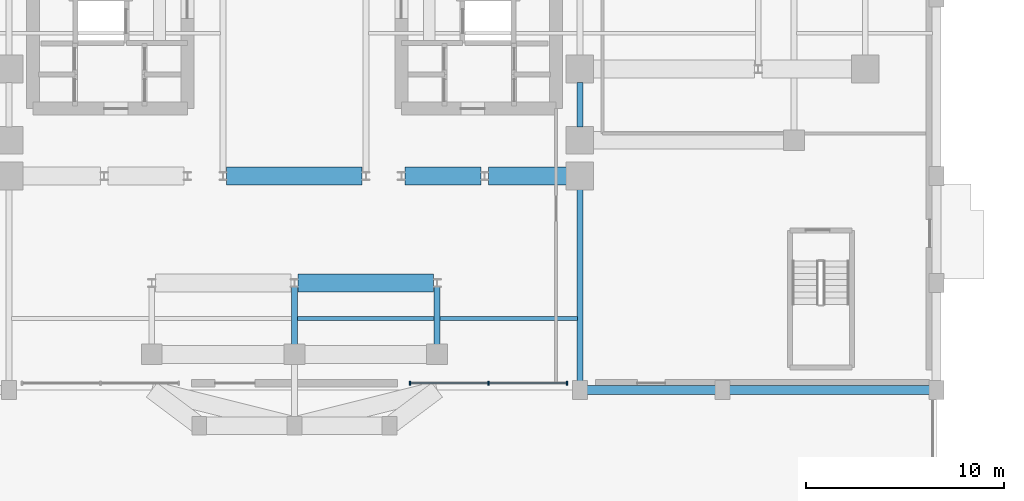
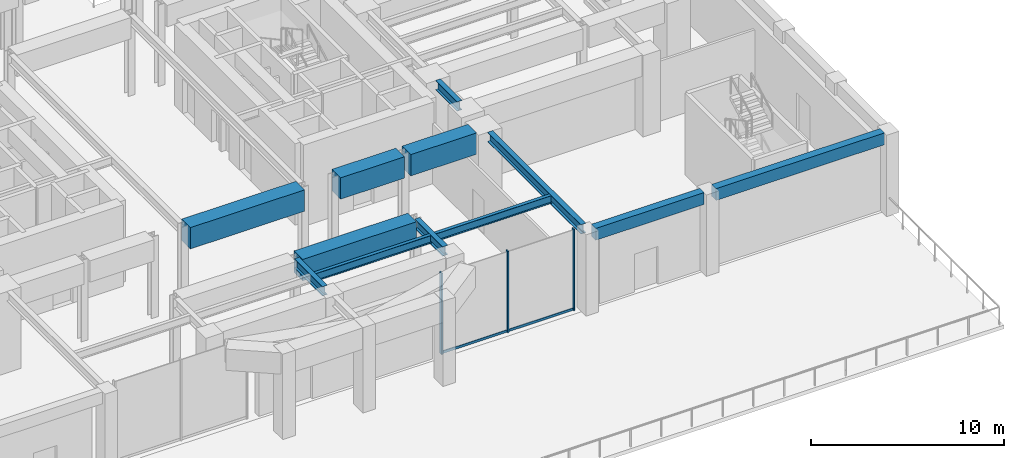
# One storey, part 6 of 17: 12 beams, 5 members, 1 element without a shape of its own.
"""IFC4 building model written with IfcOpenShell, lengths in metres."""

import ifcopenshell
import ifcopenshell.guid

model = None  # the IFC model being written
_history = None  # IfcOwnerHistory: only IFC2X3 demands one
_inside = {}  # id of a spatial element -> (the spatial element, [elements in it])
_under = {}  # id of a project, library or spatial element -> (it, [spatial elements below it])
_declared = {}  # id of a project -> (the project, [libraries it declares])
_typed = {}  # id of a type object -> (the type object, [elements of that type])
_made_of = {}  # id of a material, layer set ... -> (it, [elements and type objects made of it])


def new_model(schema):
    """Start an empty IFC model of exactly this schema.

    Asked for "IFC4X3", IfcOpenShell would pick the latest addendum, in which some entities
    have other attributes; the version numbers below select the first issue.
    IFC2X3 requires an IfcOwnerHistory on every rooted entity: one is made here for all.
    """
    global model, _history
    if schema == "IFC4X3":
        model = ifcopenshell.file(schema_version=(4, 3, 0, 0))
    else:
        model = ifcopenshell.file(schema=schema)
    _inside.clear()
    _under.clear()
    _declared.clear()
    _typed.clear()
    _made_of.clear()
    _history = None
    if model.schema == "IFC2X3":
        org = make("IfcOrganization", Name="unknown")
        user = make(
            "IfcPersonAndOrganization",
            ThePerson=make("IfcPerson", FamilyName="unknown"),
            TheOrganization=org,
        )
        app = make(
            "IfcApplication",
            ApplicationDeveloper=org,
            Version="unknown",
            ApplicationFullName="unknown",
            ApplicationIdentifier="unknown",
        )
        _history = make(
            "IfcOwnerHistory",
            OwningUser=user,
            OwningApplication=app,
            ChangeAction="ADDED",
            CreationDate=0,
        )
    return model


def make(cls, **values):
    """One entity of the class cls with the attributes given. An attribute that is None is left unset."""
    return model.create_entity(
        cls, **{name: value for name, value in values.items() if value is not None}
    )


def rooted(cls, **values):
    """An entity with a GlobalId (a new one), such as an element, a storey or a relation."""
    return make(cls, GlobalId=ifcopenshell.guid.new(), OwnerHistory=_history, **values)


def si_unit(unit_type, name, prefix=None):
    """IfcSIUnit, for example si_unit("LENGTHUNIT", "METRE", prefix="MILLI")."""
    return make("IfcSIUnit", UnitType=unit_type, Prefix=prefix, Name=name)


def assignment(units):
    """IfcUnitAssignment: the units of a project."""
    return None if units is None else make("IfcUnitAssignment", Units=units)


def point(xyz):
    """IfcCartesianPoint."""
    return None if xyz is None else make("IfcCartesianPoint", Coordinates=xyz)


def direction(xyz):
    """IfcDirection."""
    return None if xyz is None else make("IfcDirection", DirectionRatios=xyz)


def frame(location, z_axis=None, x_axis=None):
    """IfcAxis2Placement3D, a coordinate frame: its origin and axes. An axis left out is left unset."""
    return make(
        "IfcAxis2Placement3D",
        Location=point(location),
        Axis=direction(z_axis),
        RefDirection=direction(x_axis),
    )


def frame_2d(location, x_axis=None):
    """IfcAxis2Placement2D, a coordinate frame in the plane: its origin and x axis."""
    return make(
        "IfcAxis2Placement2D", Location=point(location), RefDirection=direction(x_axis)
    )


def origin():
    """The frame at (0, 0, 0) with its axes left unset."""
    return frame((0.0, 0.0, 0.0))


def origin_2d():
    """The frame at (0, 0) in the plane with its x axis left unset."""
    return frame_2d((0.0, 0.0))


def place(relative_to, where):
    """IfcLocalPlacement: puts the frame where relative to a parent placement (None: the world)."""
    return make(
        "IfcLocalPlacement", PlacementRelTo=relative_to, RelativePlacement=where
    )


def context(
    kind, dimensions, precision=None, world=None, true_north=None, identifier=None
):
    """IfcGeometricRepresentationContext, for example the 3D "Model" context."""
    return make(
        "IfcGeometricRepresentationContext",
        ContextIdentifier=identifier,
        ContextType=kind,
        CoordinateSpaceDimension=dimensions,
        Precision=precision,
        WorldCoordinateSystem=world,
        TrueNorth=true_north,
    )


def subcontext(parent, identifier, kind, view, scale=None):
    """IfcGeometricRepresentationSubContext, for example "Body" below "Model"."""
    return make(
        "IfcGeometricRepresentationSubContext",
        ContextIdentifier=identifier,
        ContextType=kind,
        ParentContext=parent,
        TargetScale=scale,
        TargetView=view,
    )


def project(units=None, contexts=None):
    """IfcProject with its units and contexts."""
    return rooted(
        "IfcProject",
        Name="project",
        RepresentationContexts=contexts,
        UnitsInContext=assignment(units),
    )


def spatial(cls, under=None, at=None, **own):
    """A site, building, storey or space (cls), placed at a placement, below another one or the project."""
    s = rooted(cls, ObjectPlacement=at, **own)
    if under is not None:
        _under.setdefault(under.id(), (under, []))[1].append(s)
    return s


def profile(cls, at=None, kind="AREA", **sizes):
    """A parametric profile (cls). Its sizes go by their IFC names, for example OverallWidth=200.0."""
    return make(cls, ProfileType=kind, Position=at, **sizes)


def rectangle(**sizes):
    """IfcRectangleProfileDef."""
    return profile("IfcRectangleProfileDef", **sizes)


def i_section(**sizes):
    """IfcIShapeProfileDef."""
    return profile("IfcIShapeProfileDef", **sizes)


def extrude(swept, where, along, depth):
    """IfcExtrudedAreaSolid: the profile swept, set in the frame where, extruded along a direction by depth."""
    return make(
        "IfcExtrudedAreaSolid",
        SweptArea=swept,
        Position=where,
        ExtrudedDirection=direction(along),
        Depth=depth,
    )


def shape(context_of_items, identifier, shape_type, items):
    """IfcShapeRepresentation: the items that make up one representation, for example the "Body"."""
    return make(
        "IfcShapeRepresentation",
        ContextOfItems=context_of_items,
        RepresentationIdentifier=identifier,
        RepresentationType=shape_type,
        Items=items,
    )


def source(mapping_origin, context_of_items, identifier, shape_type, items):
    """IfcRepresentationMap: a shape defined once, which mapped items show again and again."""
    return make(
        "IfcRepresentationMap",
        MappingOrigin=mapping_origin,
        MappedRepresentation=shape(context_of_items, identifier, shape_type, items),
    )


def transform(
    local_origin,
    x_axis=None,
    y_axis=None,
    z_axis=None,
    scale=None,
    scale2=None,
    scale3=None,
    uniform=True,
):
    """IfcCartesianTransformationOperator3D, or its non-uniform kind. x_axis, y_axis, z_axis: its Axis1, 2, 3."""
    if uniform:
        return make(
            "IfcCartesianTransformationOperator3D",
            Axis1=direction(x_axis),
            Axis2=direction(y_axis),
            LocalOrigin=point(local_origin),
            Scale=scale,
            Axis3=direction(z_axis),
        )
    return make(
        "IfcCartesianTransformationOperator3DnonUniform",
        Axis1=direction(x_axis),
        Axis2=direction(y_axis),
        LocalOrigin=point(local_origin),
        Scale=scale,
        Axis3=direction(z_axis),
        Scale2=scale2,
        Scale3=scale3,
    )


def mapped(mapping_source, mapping_target):
    """IfcMappedItem: shows the shape of a source again, moved by a transform."""
    return make(
        "IfcMappedItem", MappingSource=mapping_source, MappingTarget=mapping_target
    )


def material(Name=None, Category=None):
    """IfcMaterial."""
    return make("IfcMaterial", Name=Name, Category=Category)


def material_profile(
    of_material, cross_section, Name=None, Category=None, Priority=None
):
    """IfcMaterialProfile: a cross section and its material."""
    return make(
        "IfcMaterialProfile",
        Name=Name,
        Material=of_material,
        Profile=cross_section,
        Priority=Priority,
        Category=Category,
    )


def profile_set(profiles, Name=None, composite=None):
    """IfcMaterialProfileSet."""
    return make(
        "IfcMaterialProfileSet",
        Name=Name,
        MaterialProfiles=profiles,
        CompositeProfile=composite,
    )


def made_of(thing, what):
    """Note that an element or type object is made of a material, layer set ...; save() writes the relation."""
    if what is not None:
        _made_of.setdefault(what.id(), (what, []))[1].append(thing)
    return thing


def type_object(cls, material=None, **own):
    """A type object (cls), such as IfcWallType, which elements share."""
    return made_of(rooted(cls, **own), material)


def element(
    cls,
    number,
    at=None,
    inside=None,
    cuts=None,
    type_object=None,
    material=None,
    context=None,
    identifier="Body",
    shape_type=None,
    held_by="IfcProductDefinitionShape",
    body=None,
    shapes=None,
    **own,
):
    """One element of the class cls, such as IfcWall. Its Tag is "e" and its number.

    at: its placement. inside: the storey or other place that contains it. cuts: it is an
    opening in that element (IfcRelVoidsElement). A single representation is given by context,
    identifier, shape_type and body (its items); several are given by shapes. held_by: the class
    of the entity that holds the representations. save() writes the other relations.
    """
    e = rooted(cls, Tag="e%d" % number, ObjectPlacement=at, **own)
    if body is not None:
        shapes = [shape(context, identifier, shape_type, body)]
    if shapes is not None:
        e.Representation = make(held_by, Representations=shapes)
    if inside is not None:
        _inside.setdefault(inside.id(), (inside, []))[1].append(e)
    if cuts is not None:
        rooted(
            "IfcRelVoidsElement", RelatingBuildingElement=cuts, RelatedOpeningElement=e
        )
    if type_object is not None:
        _typed.setdefault(type_object.id(), (type_object, []))[1].append(e)
    return made_of(e, material)


def aggregate(whole, parts):
    """IfcRelAggregates: a whole, such as a stair, and the parts it consists of."""
    return rooted("IfcRelAggregates", RelatingObject=whole, RelatedObjects=parts)


def save(model, path):
    """Write the relations noted so far, then the file.

    IfcRelAggregates (storeys below a building ...), IfcRelContainedInSpatialStructure (elements
    in a storey), IfcRelDefinesByType, IfcRelAssociatesMaterial and IfcRelDeclares: one each for
    every whole, place, type object, material and project.
    """
    for whole, parts in _under.values():
        aggregate(whole, parts)
    for where, things in _inside.values():
        rooted(
            "IfcRelContainedInSpatialStructure",
            RelatedElements=things,
            RelatingStructure=where,
        )
    for kind, things in _typed.values():
        rooted("IfcRelDefinesByType", RelatedObjects=things, RelatingType=kind)
    for what, things in _made_of.values():
        rooted("IfcRelAssociatesMaterial", RelatedObjects=things, RelatingMaterial=what)
    for by, libraries in _declared.values():
        rooted("IfcRelDeclares", RelatingContext=by, RelatedDefinitions=libraries)
    model.write(path)


model = new_model("IFC4")

# Units and contexts
model_context = context("Model", 3, precision=1e-05, world=origin(), true_north=direction((0.0, 1.0)))
body_context = subcontext(model_context, "Body", "Model", "MODEL_VIEW")
ifc_project = project(units=[si_unit("LENGTHUNIT", "METRE"), si_unit("AREAUNIT", "SQUARE_METRE"), si_unit("VOLUMEUNIT", "CUBIC_METRE"), si_unit("PLANEANGLEUNIT", "RADIAN"), si_unit("MASSUNIT", "GRAM", prefix="KILO")], contexts=[model_context])

# Site, building, storey
site_placement = place(None, origin())
site = spatial("IfcSite", under=ifc_project, at=site_placement, CompositionType="ELEMENT")
building_placement = place(site_placement, origin())
building = spatial("IfcBuilding", under=site, at=building_placement, Name="Keilestroom Media Tower", CompositionType="ELEMENT")
storey_placement = place(building_placement, origin())
storey = spatial("IfcBuildingStorey", under=building, at=storey_placement, Name="L00", CompositionType="ELEMENT", Elevation=0.0)

# Beams
ifc_material_1 = material(Name="Precast concrete C40/50", Category="concrete")
ifc_material_profile_1 = material_profile(ifc_material_1, rectangle(XDim=0.449951171875, YDim=0.75, at=origin_2d()), Name="PC 450x750")
ifc_profile_set_1 = profile_set([ifc_material_profile_1], Name="Precast concrete C40/50")
beam_type_1 = type_object("IfcBeamType", Name="Perimeter-Spandrel-Beam-PC-450x750", PredefinedType="SPANDREL", material=ifc_profile_set_1)
shared_shape_1 = source(origin(), body_context, "Body", "SweptSolid", [
    extrude(rectangle(XDim=0.449951171875, YDim=0.75, at=origin_2d()), origin(), (0.0, 0.0, 1.0), 10.08984375),
])
beam_1_placement = place(storey_placement, frame((21.955078125, -19.800048828125, 4.77490234375), z_axis=(1.0, 0.0, 0.0), x_axis=(0.0, 1.0, 0.0)))
element("IfcBeam", 1, at=beam_1_placement, inside=storey, type_object=beam_type_1, Name="L00 Beam SPB-1 BM-L00-EW-004", PredefinedType="SPANDREL", context=body_context, shape_type="MappedRepresentation", body=[
    mapped(shared_shape_1, transform((0.0, 0.0, 0.0), x_axis=(1.0, 0.0, 0.0), y_axis=(0.0, 1.0, 0.0), z_axis=(0.0, 0.0, 1.0), scale=1.0)),
])
shared_shape_2 = source(origin(), body_context, "Body", "SweptSolid", [
    extrude(rectangle(XDim=0.449951171875, YDim=0.75, at=origin_2d()), origin(), (0.0, 0.0, 1.0), 6.490234375),
])
beam_2_placement = place(storey_placement, frame((14.7548828125, -19.800048828125, 4.77490234375), z_axis=(1.0, 0.0, 0.0), x_axis=(0.0, 1.0, 0.0)))
element("IfcBeam", 2, at=beam_2_placement, inside=storey, type_object=beam_type_1, Name="L00 Beam SPB-1 BM-L00-EW-003", PredefinedType="SPANDREL", context=body_context, shape_type="MappedRepresentation", body=[
    mapped(shared_shape_2, transform((0.0, 0.0, 0.0), x_axis=(1.0, 0.0, 0.0), y_axis=(0.0, 1.0, 0.0), z_axis=(0.0, 0.0, 1.0), scale=1.0)),
])
ifc_material_2 = material(Name="Concrete C55/67", Category="concrete")
ifc_material_profile_2 = material_profile(ifc_material_2, rectangle(XDim=0.89990234375, YDim=1.35009765625, at=origin_2d()), Name="RC 900x1350")
ifc_profile_set_2 = profile_set([ifc_material_profile_2], Name="Concrete C55/67")
beam_type_2 = type_object("IfcBeamType", Name="Primary-Structural-Girder-RC-900x1350", PredefinedType="BEAM", material=ifc_profile_set_2)
shared_shape_3 = source(origin(), body_context, "Body", "SweptSolid", [
    extrude(rectangle(XDim=0.89990234375, YDim=1.35009765625, at=origin_2d()), origin(), (0.0, 0.0, 1.0), 6.833984375),
])
for number, where, z_axis, x_axis, name in (
    (3, (0.18310546875, -14.39990234375, 4.47509765625), (1.0, 0.0, 0.0), (0.0, 1.0, 0.0), "L00 Beam TG-2 BM-L00-EW-008"),
    (4, (-3.4169921875, -9.0, 4.47509765625), (1.0, 0.0, 0.0), (0.0, 1.0, 0.0), "L00 Beam TG-2 BM-L00-EW-012"),
):
    element("IfcBeam", number, at=place(storey_placement, frame(where, z_axis=z_axis, x_axis=x_axis)), inside=storey, type_object=beam_type_2, Name=name, PredefinedType="BEAM", context=body_context, shape_type="MappedRepresentation", body=[
        mapped(shared_shape_3, transform((0.0, 0.0, 0.0), x_axis=(1.0, 0.0, 0.0), y_axis=(0.0, 1.0, 0.0), z_axis=(0.0, 0.0, 1.0), scale=1.0)),
    ])
shared_shape_4 = source(origin(), body_context, "Body", "SweptSolid", [
    extrude(rectangle(XDim=0.89990234375, YDim=1.35009765625, at=origin_2d()), origin(), (0.0, 0.0, 1.0), 3.93701171875),
])
beam_3_placement = place(storey_placement, frame((9.782958984375, -9.0, 4.47509765625), z_axis=(1.0, 0.0, 0.0), x_axis=(0.0, 1.0, 0.0)))
element("IfcBeam", 5, at=beam_3_placement, inside=storey, type_object=beam_type_2, Name="L00 Beam TG-2 BM-L00-EW-015", PredefinedType="BEAM", context=body_context, shape_type="MappedRepresentation", body=[
    mapped(shared_shape_4, transform((0.0, 0.0, 0.0), x_axis=(1.0, 0.0, 0.0), y_axis=(0.0, 1.0, 0.0), z_axis=(0.0, 0.0, 1.0), scale=1.0)),
])
shared_shape_5 = source(origin(), body_context, "Body", "SweptSolid", [
    extrude(rectangle(XDim=0.89990234375, YDim=1.35009765625, at=origin_2d()), origin(), (0.0, 0.0, 1.0), 3.833984375),
])
beam_4_placement = place(storey_placement, frame((5.5830078125, -9.0, 4.47509765625), z_axis=(1.0, 0.0, 0.0), x_axis=(0.0, 1.0, 0.0)))
element("IfcBeam", 6, at=beam_4_placement, inside=storey, type_object=beam_type_2, Name="L00 Beam TG-2 BM-L00-EW-014", PredefinedType="BEAM", context=body_context, shape_type="MappedRepresentation", body=[
    mapped(shared_shape_5, transform((0.0, 0.0, 0.0), x_axis=(1.0, 0.0, 0.0), y_axis=(0.0, 1.0, 0.0), z_axis=(0.0, 0.0, 1.0), scale=1.0)),
])
ifc_material_3 = material(Name="Steel S355", Category="steel")
ifc_material_profile_3 = material_profile(ifc_material_3, i_section(OverallWidth=0.300048828125, OverallDepth=0.60009765625, WebThickness=0.013427734375, FlangeThickness=0.030029296875, at=origin_2d()), Name="HEB 600")
ifc_profile_set_3 = profile_set([ifc_material_profile_3], Name="Steel S355")
beam_type_3 = type_object("IfcBeamType", Name="Primary-Structural-Girder-HEB-600", PredefinedType="BEAM", material=ifc_profile_set_3)
shared_shape_6 = source(origin(), body_context, "Body", "SweptSolid", [
    extrude(i_section(OverallWidth=0.300048828125, OverallDepth=0.60009765625, WebThickness=0.013427734375, FlangeThickness=0.030029296875, at=origin_2d()), origin(), (0.0, 0.0, 1.0), 9.6650390625),
])
beam_5_placement = place(storey_placement, frame((14.39990234375, -19.344970703125, 4.85009765625), z_axis=(0.0, 1.0, 0.0), x_axis=(-1.0, 0.0, 0.0)))
element("IfcBeam", 7, at=beam_5_placement, inside=storey, type_object=beam_type_3, Name="L00 Beam BG-4 BM-L00-NS-075", PredefinedType="BEAM", context=body_context, shape_type="MappedRepresentation", body=[
    mapped(shared_shape_6, transform((0.0, 0.0, 0.0), x_axis=(1.0, 0.0, 0.0), y_axis=(0.0, 1.0, 0.0), z_axis=(0.0, 0.0, 1.0), scale=1.0)),
])
shared_shape_7 = source(origin(), body_context, "Body", "SweptSolid", [
    extrude(i_section(OverallWidth=0.300048828125, OverallDepth=0.60009765625, WebThickness=0.013427734375, FlangeThickness=0.030029296875, at=origin_2d()), origin(), (0.0, 0.0, 1.0), 2.239990234375),
])
beam_6_placement = place(storey_placement, frame((14.39990234375, -6.52001953125, 4.85009765625), z_axis=(0.0, 1.0, 0.0), x_axis=(-1.0, 0.0, 0.0)))
element("IfcBeam", 8, at=beam_6_placement, inside=storey, type_object=beam_type_3, Name="L00 Beam BG-4 BM-L00-NS-077", PredefinedType="BEAM", context=body_context, shape_type="MappedRepresentation", body=[
    mapped(shared_shape_7, transform((0.0, 0.0, 0.0), x_axis=(1.0, 0.0, 0.0), y_axis=(0.0, 1.0, 0.0), z_axis=(0.0, 0.0, 1.0), scale=1.0)),
])
shared_shape_8 = source(origin(), body_context, "Body", "SweptSolid", [
    extrude(i_section(OverallWidth=0.300048828125, OverallDepth=0.60009765625, WebThickness=0.013427734375, FlangeThickness=0.030029296875, at=origin_2d()), origin(), (0.0, 0.0, 1.0), 2.9072265625),
])
for number, where, z_axis, x_axis, name in (
    (9, (0.0, -17.4951171875, 4.85009765625), (0.0, 1.0, 0.0), (-1.0, 0.0, 0.0), "L00 Beam BG-4 BM-L00-NS-067"),
    (10, (7.199951171875, -17.4951171875, 4.85009765625), (0.0, 1.0, 0.0), (-1.0, 0.0, 0.0), "L00 Beam BG-4 BM-L00-NS-072"),
):
    element("IfcBeam", number, at=place(storey_placement, frame(where, z_axis=z_axis, x_axis=x_axis)), inside=storey, type_object=beam_type_3, Name=name, PredefinedType="BEAM", context=body_context, shape_type="MappedRepresentation", body=[
        mapped(shared_shape_8, transform((0.0, 0.0, 0.0), x_axis=(1.0, 0.0, 0.0), y_axis=(0.0, 1.0, 0.0), z_axis=(0.0, 0.0, 1.0), scale=1.0)),
    ])
ifc_material_profile_4 = material_profile(ifc_material_3, i_section(OverallWidth=0.199951171875, OverallDepth=0.5, WebThickness=0.01025390625, FlangeThickness=0.01611328125, at=origin_2d()), Name="IPE 500")
ifc_profile_set_4 = profile_set([ifc_material_profile_4], Name="Steel S355")
beam_type_4 = type_object("IfcBeamType", Name="Secondary-Floor-Joist-IPE-500", PredefinedType="JOIST", material=ifc_profile_set_4)
shared_shape_9 = source(origin(), body_context, "Body", "SweptSolid", [
    extrude(i_section(OverallWidth=0.199951171875, OverallDepth=0.5, WebThickness=0.01025390625, FlangeThickness=0.01611328125, at=origin_2d()), origin(), (0.0, 0.0, 1.0), 6.93994140625),
])
beam_7_placement = place(storey_placement, frame((7.330078125, -16.199951171875, 4.89990234375), z_axis=(1.0, 0.0, 0.0), x_axis=(0.0, 1.0, 0.0)))
element("IfcBeam", 11, at=beam_7_placement, inside=storey, type_object=beam_type_4, Name="L00 Beam BJ-2 JST-L00-094", PredefinedType="JOIST", context=body_context, shape_type="MappedRepresentation", body=[
    mapped(shared_shape_9, transform((0.0, 0.0, 0.0), x_axis=(1.0, 0.0, 0.0), y_axis=(0.0, 1.0, 0.0), z_axis=(0.0, 0.0, 1.0), scale=1.0)),
])
shared_shape_10 = source(origin(), body_context, "Body", "SweptSolid", [
    extrude(i_section(OverallWidth=0.199951171875, OverallDepth=0.5, WebThickness=0.01025390625, FlangeThickness=0.01611328125, at=origin_2d()), origin(), (0.0, 0.0, 1.0), 6.940185546875),
])
beam_8_placement = place(storey_placement, frame((0.1298828125, -16.199951171875, 4.89990234375), z_axis=(1.0, 0.0, 0.0), x_axis=(0.0, 1.0, 0.0)))
element("IfcBeam", 12, at=beam_8_placement, inside=storey, type_object=beam_type_4, Name="L00 Beam BJ-2 JST-L00-093", PredefinedType="JOIST", context=body_context, shape_type="MappedRepresentation", body=[
    mapped(shared_shape_10, transform((0.0, 0.0, 0.0), x_axis=(1.0, 0.0, 0.0), y_axis=(0.0, 1.0, 0.0), z_axis=(0.0, 0.0, 1.0), scale=1.0)),
])

# Curtain wall, members
ifc_material_4 = material(Name="Anodised Aluminium Alloy", Category="aluminium")
curtain_wall_type = type_object("IfcCurtainWallType", Name="Unitised-Curtain-Wall-CW-7", PredefinedType="NOTDEFINED", material=ifc_material_4)
curtain_wall_placement = place(storey_placement, origin())
curtain_wall = element("IfcCurtainWall", 13, at=curtain_wall_placement, inside=storey, type_object=curtain_wall_type, Name="L00 Curtain Wall CW-7 CW-L00-S-ATE", PredefinedType="NOTDEFINED")
ifc_material_profile_5 = material_profile(ifc_material_4, rectangle(XDim=0.070068359375, YDim=0.199951171875, at=origin_2d()), Name="ALU MULLION 70x200")
ifc_profile_set_5 = profile_set([ifc_material_profile_5], Name="Anodised Aluminium Alloy")
member_type_1 = type_object("IfcMemberType", Name="Curtain-Wall-Mullion-CW-7", PredefinedType="MULLION", material=ifc_profile_set_5)
shared_shape_11 = source(origin(), body_context, "Body", "SweptSolid", [
    extrude(rectangle(XDim=0.070068359375, YDim=0.199951171875, at=origin_2d()), origin(), (0.0, 0.0, 1.0), 5.14990234375),
])
member_1_placement = place(storey_placement, frame((5.8349609375, -19.449951171875, 0.0), z_axis=(0.0, 0.0, 1.0), x_axis=(1.0, 0.0, 0.0)))
member_1 = element("IfcMember", 14, at=member_1_placement, type_object=member_type_1, Name="CW-7 Mullion 00", PredefinedType="MULLION", context=body_context, shape_type="MappedRepresentation", body=[
    mapped(shared_shape_11, transform((0.0, 0.0, 0.0), x_axis=(1.0, 0.0, 0.0), y_axis=(0.0, 1.0, 0.0), z_axis=(0.0, 0.0, 1.0), scale=1.0)),
])
member_2_placement = place(storey_placement, frame((9.7900390625, -19.449951171875, 0.0), z_axis=(0.0, 0.0, 1.0), x_axis=(1.0, 0.0, 0.0)))
member_2 = element("IfcMember", 15, at=member_2_placement, type_object=member_type_1, Name="CW-7 Mullion 01", PredefinedType="MULLION", context=body_context, shape_type="MappedRepresentation", body=[
    mapped(shared_shape_11, transform((0.0, 0.0, 0.0), x_axis=(1.0, 0.0, 0.0), y_axis=(0.0, 1.0, 0.0), z_axis=(0.0, 0.0, 1.0), scale=1.0)),
])
member_3_placement = place(storey_placement, frame((13.7451171875, -19.449951171875, 0.0), z_axis=(0.0, 0.0, 1.0), x_axis=(1.0, 0.0, 0.0)))
member_3 = element("IfcMember", 16, at=member_3_placement, type_object=member_type_1, Name="CW-7 Mullion 02", PredefinedType="MULLION", context=body_context, shape_type="MappedRepresentation", body=[
    mapped(shared_shape_11, transform((0.0, 0.0, 0.0), x_axis=(1.0, 0.0, 0.0), y_axis=(0.0, 1.0, 0.0), z_axis=(0.0, 0.0, 1.0), scale=1.0)),
])
ifc_material_profile_6 = material_profile(ifc_material_4, rectangle(XDim=0.06494140625, YDim=0.14990234375, at=origin_2d()), Name="ALU TRANSOM 65x150")
ifc_profile_set_6 = profile_set([ifc_material_profile_6], Name="Anodised Aluminium Alloy")
member_type_2 = type_object("IfcMemberType", Name="Curtain-Wall-Transom-CW-7", PredefinedType="USERDEFINED", material=ifc_profile_set_6)
shared_shape_12 = source(origin(), body_context, "Body", "SweptSolid", [
    extrude(rectangle(XDim=0.06494140625, YDim=0.14990234375, at=origin_2d()), origin(), (0.0, 0.0, 1.0), 3.888916015625),
])
member_4_placement = place(storey_placement, frame((9.822998046875, -19.449951171875, 0.074951171875), z_axis=(1.0, 0.0, 0.0), x_axis=(0.0, 1.0, 0.0)))
member_4 = element("IfcMember", 17, at=member_4_placement, type_object=member_type_2, Name="CW-7 Transom 01.1", ObjectType="TRANSOM", PredefinedType="USERDEFINED", context=body_context, shape_type="MappedRepresentation", body=[
    mapped(shared_shape_12, transform((0.0, 0.0, 0.0), x_axis=(1.0, 0.0, 0.0), y_axis=(0.0, 1.0, 0.0), z_axis=(0.0, 0.0, 1.0), scale=1.0)),
])
shared_shape_13 = source(origin(), body_context, "Body", "SweptSolid", [
    extrude(rectangle(XDim=0.06494140625, YDim=0.14990234375, at=origin_2d()), origin(), (0.0, 0.0, 1.0), 3.88916015625),
])
member_5_placement = place(storey_placement, frame((5.867919921875, -19.449951171875, 0.074951171875), z_axis=(1.0, 0.0, 0.0), x_axis=(0.0, 1.0, 0.0)))
member_5 = element("IfcMember", 18, at=member_5_placement, type_object=member_type_2, Name="CW-7 Transom 00.1", ObjectType="TRANSOM", PredefinedType="USERDEFINED", context=body_context, shape_type="MappedRepresentation", body=[
    mapped(shared_shape_13, transform((0.0, 0.0, 0.0), x_axis=(1.0, 0.0, 0.0), y_axis=(0.0, 1.0, 0.0), z_axis=(0.0, 0.0, 1.0), scale=1.0)),
])
aggregate(curtain_wall, [member_1, member_2, member_3, member_5, member_4])

save(model, "model.ifc")
